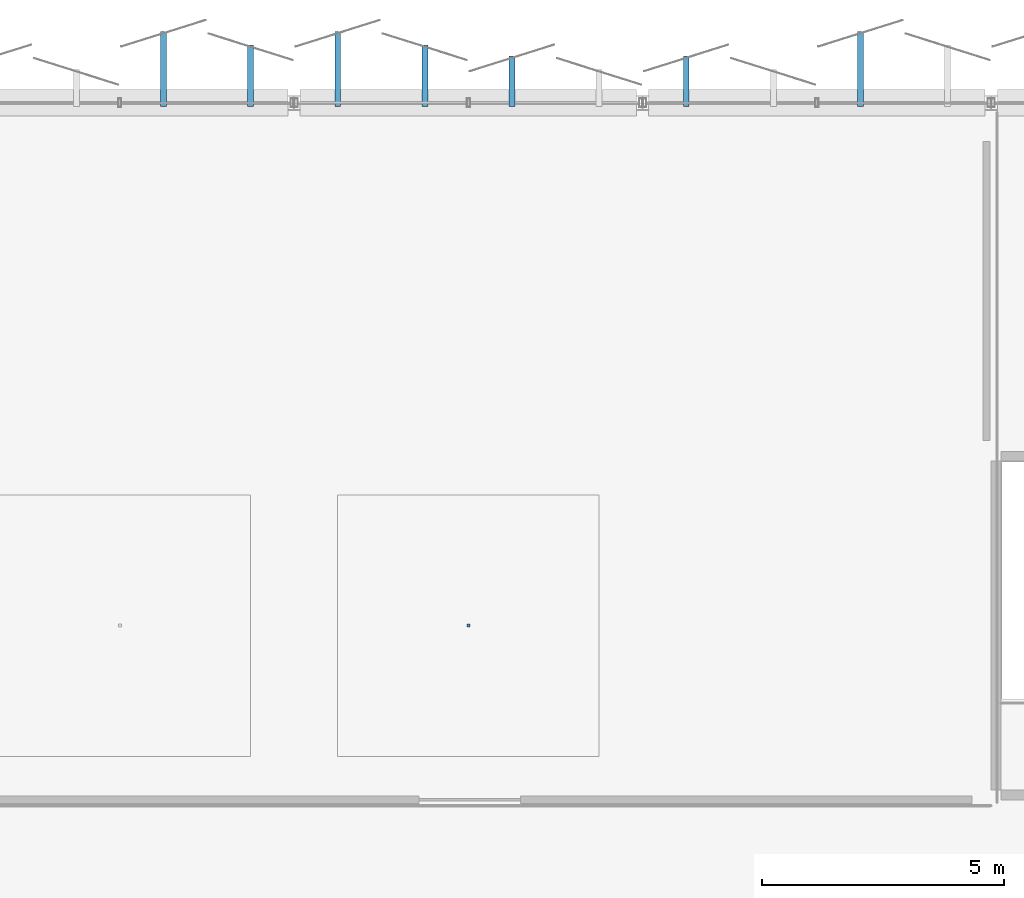
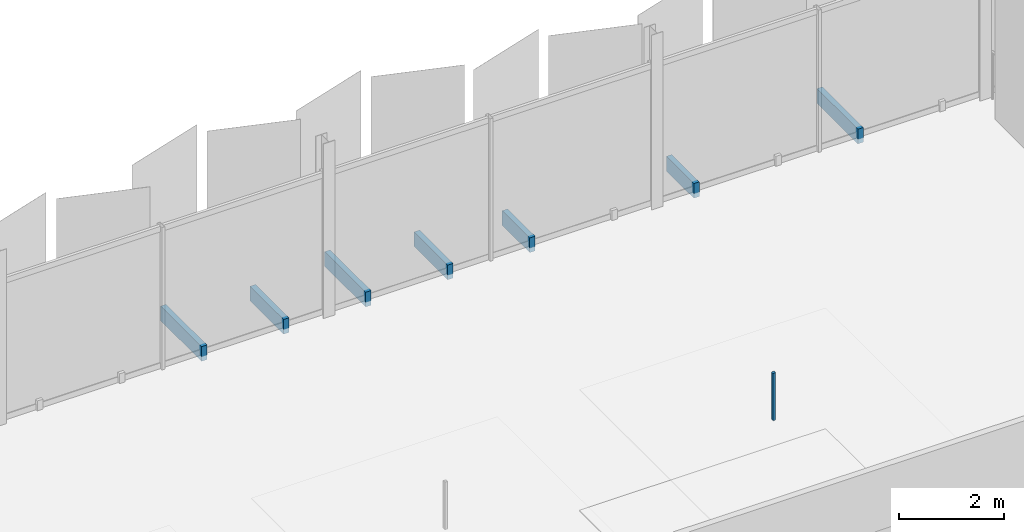
# One storey, part 67 of 77: 8 discrete accessories.
"""IFC4 building model written with IfcOpenShell, lengths in metres."""

from ifc_helpers import new_model, si_unit, direction, frame, origin, origin_2d, place, context, subcontext, project, spatial, rectangle, extrude, material, type_object, element, save


model = new_model("IFC4")

# Units and contexts
model_context = context("Model", 3, precision=1e-05, world=origin(), true_north=direction((0.0, 1.0)))
body_context = subcontext(model_context, "Body", "Model", "MODEL_VIEW")
ifc_project = project(units=[si_unit("LENGTHUNIT", "METRE"), si_unit("AREAUNIT", "SQUARE_METRE"), si_unit("VOLUMEUNIT", "CUBIC_METRE"), si_unit("PLANEANGLEUNIT", "RADIAN"), si_unit("MASSUNIT", "GRAM", prefix="KILO")], contexts=[model_context])

# Site, building, storey
site_placement = place(None, origin())
site = spatial("IfcSite", under=ifc_project, at=site_placement, CompositionType="ELEMENT")
building_placement = place(site_placement, origin())
building = spatial("IfcBuilding", under=site, at=building_placement, Name="Kangsadwip Square Police Headquarters", CompositionType="ELEMENT")
storey_placement = place(building_placement, frame((0.0, 0.0, 17.550048828125)))
storey = spatial("IfcBuildingStorey", under=building, at=storey_placement, Name="L04", CompositionType="ELEMENT", Elevation=17.550048828125)

# Discrete accessories
ifc_material = material(Name="Structural steel IS 2062 E350 (Grade 350, 350 MPa)", Category="steel")
discrete_accessory_type = type_object("IfcDiscreteAccessoryType", Name="VeilOutriggerBracket", PredefinedType="BRACKET", material=ifc_material)
discrete_accessory_1_placement = place(storey_placement, frame((112.5, 115.897216796875, -0.10986328125), z_axis=(0.0, 0.0, 1.0), x_axis=(1.0, 0.0, 0.0)))
element("IfcDiscreteAccessory", 1, at=discrete_accessory_1_placement, inside=storey, type_object=discrete_accessory_type, Name="Veil Outrigger Bracket VBK-L04-0151", PredefinedType="BRACKET", context=body_context, shape_type="SweptSolid", body=[
    extrude(rectangle(XDim=0.1201171875, YDim=1.5546875, at=origin_2d()), origin(), (0.0, 0.0, 1.0), 0.340087890625),
])
discrete_accessory_2_placement = place(storey_placement, frame((114.300048828125, 115.75732421875, -0.10986328125), z_axis=(0.0, 0.0, 1.0), x_axis=(1.0, 0.0, 0.0)))
element("IfcDiscreteAccessory", 2, at=discrete_accessory_2_placement, inside=storey, type_object=discrete_accessory_type, Name="Veil Outrigger Bracket VBK-L04-0152", PredefinedType="BRACKET", context=body_context, shape_type="SweptSolid", body=[
    extrude(rectangle(XDim=0.1201171875, YDim=1.274658203125, at=origin_2d()), origin(), (0.0, 0.0, 1.0), 0.340087890625),
])
discrete_accessory_3_placement = place(storey_placement, frame((116.10009765625, 115.897216796875, -0.10986328125), z_axis=(0.0, 0.0, 1.0), x_axis=(1.0, 0.0, 0.0)))
element("IfcDiscreteAccessory", 3, at=discrete_accessory_3_placement, inside=storey, type_object=discrete_accessory_type, Name="Veil Outrigger Bracket VBK-L04-0153", PredefinedType="BRACKET", context=body_context, shape_type="SweptSolid", body=[
    extrude(rectangle(XDim=0.1201171875, YDim=1.5546875, at=origin_2d()), origin(), (0.0, 0.0, 1.0), 0.340087890625),
])
discrete_accessory_4_placement = place(storey_placement, frame((117.89990234375, 115.75732421875, -0.10986328125), z_axis=(0.0, 0.0, 1.0), x_axis=(1.0, 0.0, 0.0)))
element("IfcDiscreteAccessory", 4, at=discrete_accessory_4_placement, inside=storey, type_object=discrete_accessory_type, Name="Veil Outrigger Bracket VBK-L04-0154", PredefinedType="BRACKET", context=body_context, shape_type="SweptSolid", body=[
    extrude(rectangle(XDim=0.1201171875, YDim=1.274658203125, at=origin_2d()), origin(), (0.0, 0.0, 1.0), 0.340087890625),
])
for number, where, z_axis, x_axis, name in (
    (5, (119.699951171875, 115.642578125, -0.10986328125), (0.0, 0.0, 1.0), (1.0, 0.0, 0.0), "Veil Outrigger Bracket VBK-L04-0155"),
    (6, (123.300048828125, 115.642578125, -0.10986328125), (0.0, 0.0, 1.0), (1.0, 0.0, 0.0), "Veil Outrigger Bracket VBK-L04-0157"),
):
    element("IfcDiscreteAccessory", number, at=place(storey_placement, frame(where, z_axis=z_axis, x_axis=x_axis)), inside=storey, type_object=discrete_accessory_type, Name=name, PredefinedType="BRACKET", context=body_context, shape_type="SweptSolid", body=[
        extrude(rectangle(XDim=0.1201171875, YDim=1.04541015625, at=origin_2d()), origin(), (0.0, 0.0, 1.0), 0.340087890625),
    ])
discrete_accessory_5_placement = place(storey_placement, frame((126.89990234375, 115.897216796875, -0.10986328125), z_axis=(0.0, 0.0, 1.0), x_axis=(1.0, 0.0, 0.0)))
element("IfcDiscreteAccessory", 7, at=discrete_accessory_5_placement, inside=storey, type_object=discrete_accessory_type, Name="Veil Outrigger Bracket VBK-L04-0159", PredefinedType="BRACKET", context=body_context, shape_type="SweptSolid", body=[
    extrude(rectangle(XDim=0.1201171875, YDim=1.5546875, at=origin_2d()), origin(), (0.0, 0.0, 1.0), 0.340087890625),
])
discrete_accessory_6_placement = place(storey_placement, frame((118.800048828125, 104.39990234375, 2.809814453125), z_axis=(0.0, 0.0, 1.0), x_axis=(1.0, 0.0, 0.0)))
element("IfcDiscreteAccessory", 8, at=discrete_accessory_6_placement, inside=storey, type_object=discrete_accessory_type, Name="Ceiling Suspension Hanger L04-114", PredefinedType="BRACKET", context=body_context, shape_type="SweptSolid", body=[
    extrude(rectangle(XDim=0.06005859375, YDim=0.06005859375, at=origin_2d()), origin(), (0.0, 0.0, 1.0), 1.10009765625),
])

save(model, "model.ifc")
